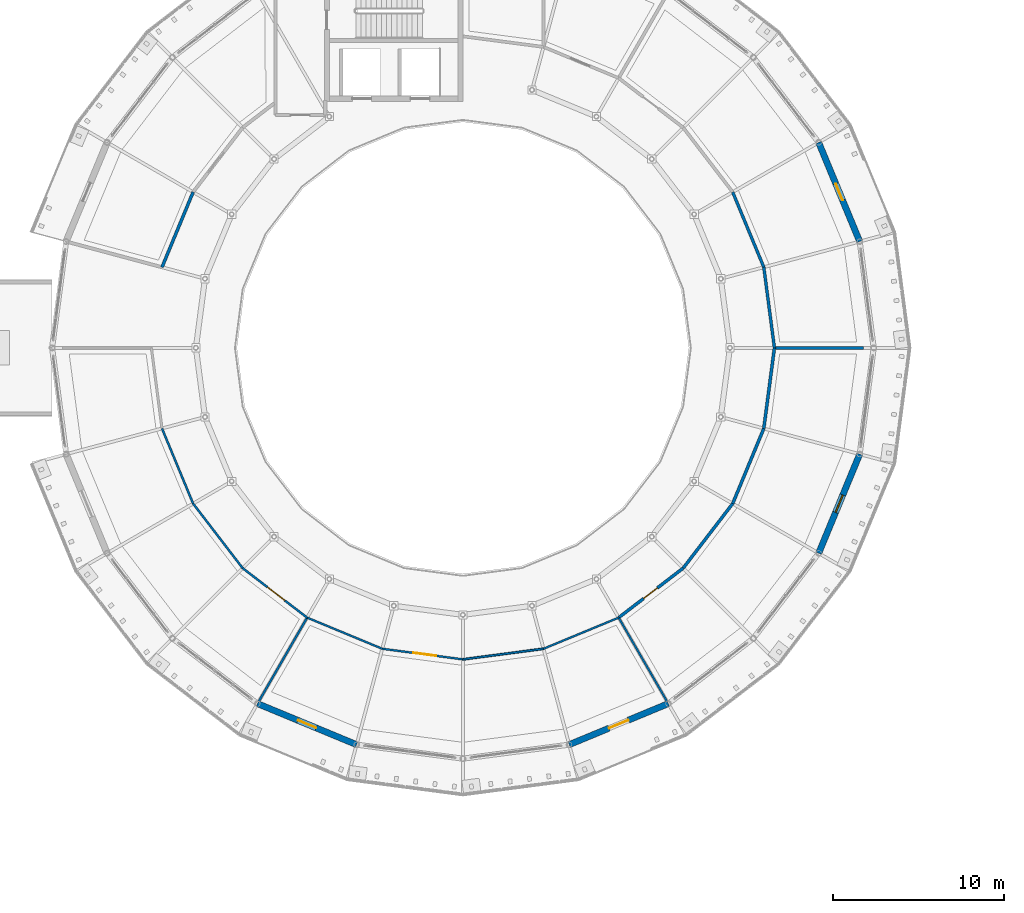
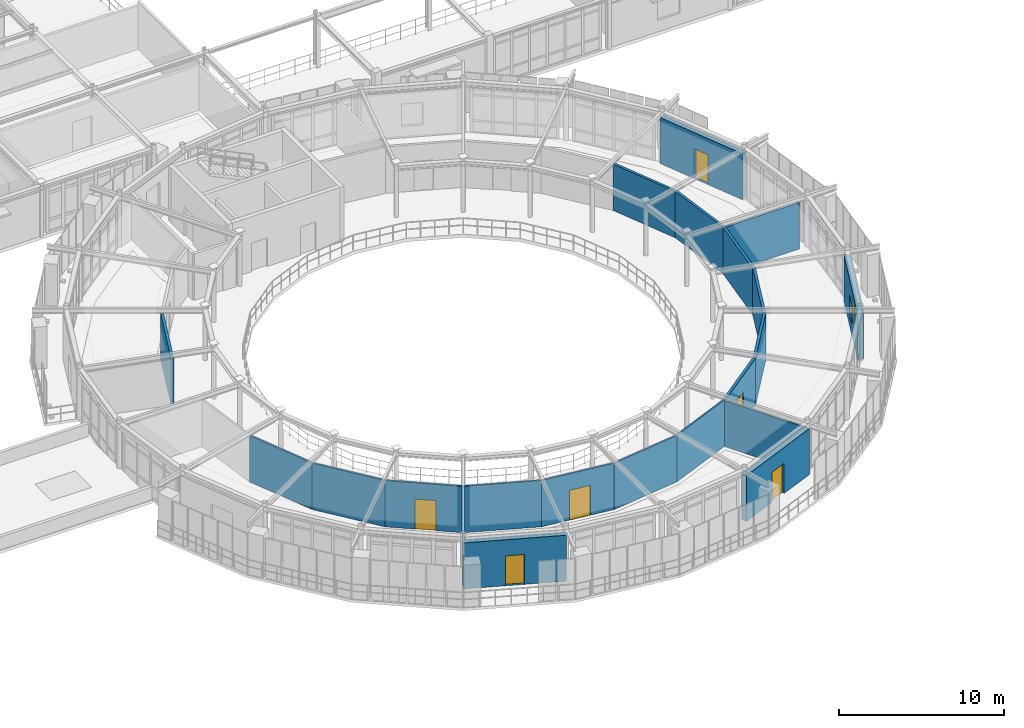
# One storey, part 55 of 70: 21 walls, 6 doors, 1 window, 7 openings.
"""IFC4 building model written with IfcOpenShell, lengths in metres."""

from ifc_helpers import new_model, si_unit, derived_unit, direction, frame, frame_2d, origin, place, context, subcontext, project, spatial, rectangle, extrude, material, layer, layer_set, type_object, element, fill, save


model = new_model("IFC4")

# Units and contexts
model_context = context("Model", 3, precision=1e-05, world=origin(), true_north=direction((0.0, 1.0)))
body_context = subcontext(model_context, "Body", "Model", "MODEL_VIEW")
ifc_project = project(units=[si_unit("LENGTHUNIT", "METRE"), si_unit("AREAUNIT", "SQUARE_METRE"), si_unit("VOLUMEUNIT", "CUBIC_METRE"), si_unit("PLANEANGLEUNIT", "RADIAN"), si_unit("MASSUNIT", "GRAM", prefix="KILO"), derived_unit("THERMALTRANSMITTANCEUNIT", [(si_unit("POWERUNIT", "WATT"), 1), (si_unit("AREAUNIT", "SQUARE_METRE"), -1), (si_unit("THERMODYNAMICTEMPERATUREUNIT", "KELVIN"), -1)])], contexts=[model_context])

# Site, building, storey
site_placement = place(None, origin())
site = spatial("IfcSite", under=ifc_project, at=site_placement, CompositionType="ELEMENT")
building_placement = place(site_placement, origin())
building = spatial("IfcBuilding", under=site, at=building_placement, Name="Yasenodar Specialist Clinic", CompositionType="ELEMENT")
storey_placement = place(building_placement, frame((0.0, 0.0, 13.199951171875)))
storey = spatial("IfcBuildingStorey", under=building, at=storey_placement, Name="L03", CompositionType="ELEMENT", Elevation=13.199951171875)

# Wall, opening, door
ifc_material_1 = material(Name="Drum Insulated Terracotta Chord Wall", Category="masonry")
ifc_layer_1 = layer(ifc_material_1, 0.364990234375)
ifc_layer_set_1 = layer_set([ifc_layer_1], Name="Drum Insulated Terracotta Chord Wall")
wall_type_1 = type_object("IfcWallType", Name="EW-DRUM-365", PredefinedType="SOLIDWALL", material=ifc_layer_set_1)
wall_1_placement = place(storey_placement, frame((101.78466796875, 70.800048828125, 0.0), z_axis=(0.0, 0.0, 1.0), x_axis=(0.382663829839, -0.9238876519, 0.0)))
wall_1 = element("IfcWall", 1, at=wall_1_placement, inside=storey, type_object=wall_type_1, Name="L03 Exterior Facade Wall 0024", PredefinedType="SOLIDWALL", context=body_context, shape_type="SweptSolid", body=[
    extrude(rectangle(XDim=6.26513671875, YDim=0.364990234375, at=frame_2d((3.132568359375, 0.0))), origin(), (0.0, 0.0, 1.0), 3.387939453125),
])
opening_1_placement = place(wall_1_placement, frame((2.607666015625, 0.0, 0.0)))
opening_1 = element("IfcOpeningElement", 2, at=opening_1_placement, cuts=wall_1, Name="Opening BD-01", PredefinedType="OPENING", context=body_context, shape_type="SweptSolid", body=[
    extrude(rectangle(XDim=1.050048828125, YDim=2.199951171875, at=frame_2d((0.52490234375, 1.10009765625))), frame((0.0, 0.1923828125, 0.0), z_axis=(0.0, -1.0, 0.0), x_axis=(1.0, 0.0, 0.0)), (0.0, 0.0, 1.0), 0.385009765625),
])
ifc_material_2 = material(Name="Thermally Broken Bronze Anodized Aluminium and Laminated Glass", Category="aluminium")
door_type_1 = type_object("IfcDoorType", Name="DR-BALC-105", OperationType="NOTDEFINED", PredefinedType="DOOR", material=ifc_material_2)
door_1_placement = place(opening_1_placement, origin())
door_1 = element("IfcDoor", 3, at=door_1_placement, inside=storey, type_object=door_type_1, Name="L03 Drum Balcony Access Door Sector 01", OperationType="SINGLE_SWING_LEFT", OverallHeight=2.199951171875, OverallWidth=1.050048828125, PredefinedType="DOOR", context=body_context, shape_type="SweptSolid", body=[
    extrude(rectangle(XDim=1.050048828125, YDim=2.199951171875, at=frame_2d((0.52490234375, 1.10009765625))), frame((0.0, 0.02490234375, 0.0), z_axis=(0.0, -1.0, 0.0), x_axis=(1.0, 0.0, 0.0)), (0.0, 0.0, 1.0), 0.050048828125),
])
fill(opening_1, door_1)

wall_2_placement = place(storey_placement, frame((74.788330078125, 35.617919921875, 0.0), z_axis=(0.0, 0.0, 1.0), x_axis=(-0.9238876519, 0.382663829839, 0.0)))
wall_2 = element("IfcWall", 4, at=wall_2_placement, inside=storey, type_object=wall_type_1, Name="L03 Exterior Facade Wall 0029", PredefinedType="SOLIDWALL", context=body_context, shape_type="SweptSolid", body=[
    extrude(rectangle(XDim=6.26513671875, YDim=0.364990234375, at=frame_2d((3.132568359375, 0.0))), origin(), (0.0, 0.0, 1.0), 3.387939453125),
])
opening_2_placement = place(wall_2_placement, frame((2.5576171875, 0.0, 0.0)))
opening_2 = element("IfcOpeningElement", 5, at=opening_2_placement, cuts=wall_2, Name="Opening BD-02", PredefinedType="OPENING", context=body_context, shape_type="SweptSolid", body=[
    extrude(rectangle(XDim=1.14990234375, YDim=2.199951171875, at=frame_2d((0.574951171875, 1.10009765625))), frame((0.0, 0.1923828125, 0.0), z_axis=(0.0, -1.0, 0.0), x_axis=(1.0, 0.0, 0.0)), (0.0, 0.0, 1.0), 0.385009765625),
])
door_type_2 = type_object("IfcDoorType", Name="DR-BALC-115", OperationType="NOTDEFINED", PredefinedType="DOOR", material=ifc_material_2)
door_2_placement = place(opening_2_placement, origin())
door_2 = element("IfcDoor", 6, at=door_2_placement, inside=storey, type_object=door_type_2, Name="L03 Drum Balcony Access Door Sector 16", OperationType="SINGLE_SWING_LEFT", OverallHeight=2.199951171875, OverallWidth=1.14990234375, PredefinedType="DOOR", context=body_context, shape_type="SweptSolid", body=[
    extrude(rectangle(XDim=1.14990234375, YDim=2.199951171875, at=frame_2d((0.574951171875, 1.10009765625))), frame((0.0, 0.02490234375, 0.0), z_axis=(0.0, -1.0, 0.0), x_axis=(1.0, 0.0, 0.0)), (0.0, 0.0, 1.0), 0.050048828125),
])
fill(opening_2, door_2)

wall_3_placement = place(storey_placement, frame((93.0, 38.015380859375, 0.0), z_axis=(0.0, 0.0, 1.0), x_axis=(-0.9238876519, -0.382663829839, 0.0)))
wall_3 = element("IfcWall", 7, at=wall_3_placement, inside=storey, type_object=wall_type_1, Name="L03 Exterior Facade Wall 0030", PredefinedType="SOLIDWALL", context=body_context, shape_type="SweptSolid", body=[
    extrude(rectangle(XDim=6.26513671875, YDim=0.364990234375, at=frame_2d((3.132568359375, 0.0))), origin(), (0.0, 0.0, 1.0), 3.387939453125),
])
opening_3_placement = place(wall_3_placement, frame((2.522705078125, 0.0, 0.0)))
opening_3 = element("IfcOpeningElement", 8, at=opening_3_placement, cuts=wall_3, Name="Opening BD-03", PredefinedType="OPENING", context=body_context, shape_type="SweptSolid", body=[
    extrude(rectangle(XDim=1.219970703125, YDim=2.219970703125, at=frame_2d((0.60986328125, 1.10986328125))), frame((0.0, 0.1923828125, 0.0), z_axis=(0.0, -1.0, 0.0), x_axis=(1.0, 0.0, 0.0)), (0.0, 0.0, 1.0), 0.385009765625),
])
door_type_3 = type_object("IfcDoorType", Name="DR-BALC-122", OperationType="NOTDEFINED", PredefinedType="DOOR", material=ifc_material_2)
door_3_placement = place(opening_3_placement, origin())
door_3 = element("IfcDoor", 9, at=door_3_placement, inside=storey, type_object=door_type_3, Name="L03 Drum Balcony Access Door Sector 19", OperationType="SINGLE_SWING_RIGHT", OverallHeight=2.219970703125, OverallWidth=1.219970703125, PredefinedType="DOOR", context=body_context, shape_type="SweptSolid", body=[
    extrude(rectangle(XDim=1.219970703125, YDim=2.219970703125, at=frame_2d((0.60986328125, 1.10986328125))), frame((0.0, 0.02490234375, 0.0), z_axis=(0.0, -1.0, 0.0), x_axis=(1.0, 0.0, 0.0)), (0.0, 0.0, 1.0), 0.050048828125),
])
fill(opening_3, door_3)

# Wall, opening, window
wall_4_placement = place(storey_placement, frame((104.18212890625, 52.58837890625, 0.0), z_axis=(0.0, 0.0, 1.0), x_axis=(-0.382663829839, -0.9238876519, 0.0)))
wall_4 = element("IfcWall", 10, at=wall_4_placement, inside=storey, type_object=wall_type_1, Name="L03 Exterior Facade Wall 0031", PredefinedType="SOLIDWALL", context=body_context, shape_type="SweptSolid", body=[
    extrude(rectangle(XDim=6.26513671875, YDim=0.364990234375, at=frame_2d((3.132568359375, 0.0))), origin(), (0.0, 0.0, 1.0), 3.387939453125),
])
opening_4_placement = place(wall_4_placement, frame((2.58251953125, 0.0, 0.85009765625)))
opening_4 = element("IfcOpeningElement", 11, at=opening_4_placement, cuts=wall_4, Name="Opening W-19", PredefinedType="OPENING", context=body_context, shape_type="SweptSolid", body=[
    extrude(rectangle(XDim=1.10009765625, YDim=1.39990234375, at=frame_2d((0.550048828125, 0.699951171875))), frame((0.0, 0.1923828125, 0.0), z_axis=(0.0, -1.0, 0.0), x_axis=(1.0, 0.0, 0.0)), (0.0, 0.0, 1.0), 0.385009765625),
])
ifc_material_3 = material(Name="Triple Low-E Argon Glazing in Bronze Aluminium Frame", Category="aluminium")
window_type = type_object("IfcWindowType", Name="WIN-EXT-19", PartitioningType="SINGLE_PANEL", PredefinedType="WINDOW", material=ifc_material_3)
window_placement = place(opening_4_placement, origin())
window = element("IfcWindow", 12, at=window_placement, inside=storey, type_object=window_type, Name="L03 Triple-Glazed Reveal Window 0017", OverallHeight=1.39990234375, OverallWidth=1.10009765625, PartitioningType="SINGLE_PANEL", PredefinedType="WINDOW", context=body_context, shape_type="SweptSolid", body=[
    extrude(rectangle(XDim=1.10009765625, YDim=1.39990234375, at=frame_2d((0.550048828125, 0.699951171875))), frame((0.0, 0.030029296875, 0.0), z_axis=(0.0, -1.0, 0.0), x_axis=(1.0, 0.0, 0.0)), (0.0, 0.0, 1.0), 0.06005859375),
])
fill(opening_4, window)

# Walls
ifc_material_4 = material(Name="Cleanroom Laboratory Partition")
ifc_layer_2 = layer(ifc_material_4, 0.169921875)
ifc_layer_set_2 = layer_set([ifc_layer_2], Name="Cleanroom Laboratory Partition")
wall_type_2 = type_object("IfcWallType", Name="IW-LAB-170", PredefinedType="PARTITIONING", material=ifc_layer_set_2)
for number, where, z_axis, x_axis, name in (
    (13, (99.199951171875, 58.800048828125, 0.0), (0.0, 0.0, 1.0), (-0.130520975042, 0.991445548214, 0.0), "L03 Ophthalmic Laser Treatment Suite Partition"),
    (14, (98.579833984375, 63.510498046875, 0.0), (0.0, 0.0, 1.0), (-0.382677044484, 0.923882178432, 0.0), "L03 Ophthalmic Laser Treatment Suite Partition"),
):
    element("IfcWall", number, at=place(storey_placement, frame(where, z_axis=z_axis, x_axis=x_axis)), inside=storey, type_object=wall_type_2, Name=name, PredefinedType="PARTITIONING", context=body_context, shape_type="SweptSolid", body=[
        extrude(rectangle(XDim=4.7509765625, YDim=0.169921875, at=frame_2d((2.37548828125, 0.0))), origin(), (0.0, 0.0, 1.0), 3.41796875),
    ])
wall_5_placement = place(storey_placement, frame((104.39990234375, 58.800048828125, 0.0), z_axis=(0.0, 0.0, 1.0), x_axis=(-1.0, 0.0, 0.0)))
element("IfcWall", 15, at=wall_5_placement, inside=storey, type_object=wall_type_2, Name="L03 Ophthalmic Laser Treatment Suite Partition", PredefinedType="PARTITIONING", context=body_context, shape_type="SweptSolid", body=[
    extrude(rectangle(XDim=5.199951171875, YDim=0.169921875, at=frame_2d((2.60009765625, 0.0))), origin(), (0.0, 0.0, 1.0), 3.41796875),
])

# Wall, opening, door
ifc_material_5 = material(Name="Lightweight Counseling Partition")
ifc_layer_3 = layer(ifc_material_5, 0.114990234375)
ifc_layer_set_3 = layer_set([ifc_layer_3], Name="Lightweight Counseling Partition")
wall_type_3 = type_object("IfcWallType", Name="IW-PART-115", PredefinedType="PARTITIONING", material=ifc_layer_set_3)
wall_6_placement = place(storey_placement, frame((76.28955078125, 41.22021484375, 0.0), z_axis=(0.0, 0.0, 1.0), x_axis=(0.991445548214, -0.130520975042, 0.0)))
wall_6 = element("IfcWall", 16, at=wall_6_placement, inside=storey, type_object=wall_type_3, Name="L03 Echocardiography Stress-Test Room Partition", PredefinedType="PARTITIONING", context=body_context, shape_type="SweptSolid", body=[
    extrude(rectangle(XDim=4.7509765625, YDim=0.114990234375, at=frame_2d((2.37548828125, 0.0))), origin(), (0.0, 0.0, 1.0), 3.41796875),
])
opening_5_placement = place(wall_6_placement, frame((1.82568359375, 0.0, 0.0)))
opening_5 = element("IfcOpeningElement", 17, at=opening_5_placement, cuts=wall_6, Name="Opening D-11", PredefinedType="OPENING", context=body_context, shape_type="SweptSolid", body=[
    extrude(rectangle(XDim=1.360107421875, YDim=2.199951171875, at=frame_2d((0.68017578125, 1.10009765625))), frame((0.0, 0.0673828125, 0.0), z_axis=(0.0, -1.0, 0.0), x_axis=(1.0, 0.0, 0.0)), (0.0, 0.0, 1.0), 0.135009765625),
])
ifc_material_6 = material(Name="Powder-Coated Steel and Acoustic Laminate Leaf", Category="steel")
door_type_4 = type_object("IfcDoorType", Name="DR-PLT-136", OperationType="NOTDEFINED", PredefinedType="DOOR", material=ifc_material_6)
door_4_placement = place(opening_5_placement, origin())
door_4 = element("IfcDoor", 18, at=door_4_placement, inside=storey, type_object=door_type_4, Name="L03 Echocardiography Stress-Test Room Door", OperationType="SINGLE_SWING_LEFT", OverallHeight=2.199951171875, OverallWidth=1.360107421875, PredefinedType="DOOR", context=body_context, shape_type="SweptSolid", body=[
    extrude(rectangle(XDim=1.360107421875, YDim=2.199951171875, at=frame_2d((0.68017578125, 1.10009765625))), frame((0.0, 0.02490234375, 0.0), z_axis=(0.0, -1.0, 0.0), x_axis=(1.0, 0.0, 0.0)), (0.0, 0.0, 1.0), 0.050048828125),
])
fill(opening_5, door_4)

# Walls
wall_7_placement = place(storey_placement, frame((81.0, 40.60009765625, 0.0), z_axis=(0.0, 0.0, 1.0), x_axis=(0.991445548214, 0.130520975042, 0.0)))
element("IfcWall", 19, at=wall_7_placement, inside=storey, type_object=wall_type_3, Name="L03 Echocardiography Stress-Test Room Partition", PredefinedType="PARTITIONING", context=body_context, shape_type="SweptSolid", body=[
    extrude(rectangle(XDim=4.7509765625, YDim=0.114990234375, at=frame_2d((2.37548828125, 0.0))), origin(), (0.0, 0.0, 1.0), 3.41796875),
])
wall_8_placement = place(storey_placement, frame((85.71044921875, 41.22021484375, 0.0), z_axis=(0.0, 0.0, 1.0), x_axis=(0.923889703059, 0.382658877568, 0.0)))
element("IfcWall", 20, at=wall_8_placement, inside=storey, type_object=wall_type_3, Name="L03 Echocardiography Stress-Test Room Partition", PredefinedType="PARTITIONING", context=body_context, shape_type="SweptSolid", body=[
    extrude(rectangle(XDim=4.751220703125, YDim=0.114990234375, at=frame_2d((2.37548828125, 0.0))), origin(), (0.0, 0.0, 1.0), 3.41796875),
])
wall_9_placement = place(storey_placement, frame((71.918701171875, 43.030517578125, 0.0), z_axis=(0.0, 0.0, 1.0), x_axis=(0.923891672578, -0.382654122335, 0.0)))
element("IfcWall", 21, at=wall_9_placement, inside=storey, type_object=wall_type_3, Name="L03 Echocardiography Stress-Test Room Partition", PredefinedType="PARTITIONING", context=body_context, shape_type="SweptSolid", body=[
    extrude(rectangle(XDim=4.73095703125, YDim=0.114990234375, at=frame_2d((2.365478515625, 0.0))), origin(), (0.0, 0.0, 1.0), 3.41796875),
])
wall_10_placement = place(storey_placement, frame((90.10009765625, 43.038330078125, 0.0), z_axis=(0.0, 0.0, 1.0), x_axis=(0.499987440211, -0.86603265506, 0.0)))
element("IfcWall", 22, at=wall_10_placement, inside=storey, type_object=wall_type_3, Name="L03 Echocardiography Stress-Test Room Partition", PredefinedType="PARTITIONING", context=body_context, shape_type="SweptSolid", body=[
    extrude(rectangle(XDim=5.635986328125, YDim=0.114990234375, at=frame_2d((2.81787109375, 0.0))), origin(), (0.0, 0.0, 1.0), 3.387939453125),
])

# Wall, opening, door
ifc_material_7 = material(Name="Clinical Sub-Division Partition")
ifc_layer_4 = layer(ifc_material_7, 0.125)
ifc_layer_set_4 = layer_set([ifc_layer_4], Name="Clinical Sub-Division Partition")
wall_type_4 = type_object("IfcWallType", Name="IW-PART-125", PredefinedType="PARTITIONING", material=ifc_layer_set_4)
wall_11_placement = place(storey_placement, frame((68.130615234375, 45.9306640625, 0.0), z_axis=(0.0, 0.0, 1.0), x_axis=(0.793347417989, -0.608769147025, 0.0)))
wall_11 = element("IfcWall", 23, at=wall_11_placement, inside=storey, type_object=wall_type_4, Name="L03 Cardiac Arrhythmia Day-Monitoring Suite Partition", PredefinedType="PARTITIONING", context=body_context, shape_type="SweptSolid", body=[
    extrude(rectangle(XDim=4.751220703125, YDim=0.125, at=frame_2d((2.37548828125, 0.0))), origin(), (0.0, 0.0, 1.0), 3.41796875),
])
opening_6_placement = place(wall_11_placement, frame((1.82568359375, 0.0, 0.0)))
opening_6 = element("IfcOpeningElement", 24, at=opening_6_placement, cuts=wall_11, Name="Opening D-08", PredefinedType="OPENING", context=body_context, shape_type="SweptSolid", body=[
    extrude(rectangle(XDim=1.280029296875, YDim=2.219970703125, at=frame_2d((0.64013671875, 1.10986328125))), frame((0.0, 0.072509765625, 0.0), z_axis=(0.0, -1.0, 0.0), x_axis=(1.0, 0.0, 0.0)), (0.0, 0.0, 1.0), 0.14501953125),
])
door_type_5 = type_object("IfcDoorType", Name="DR-CLN-128", OperationType="NOTDEFINED", PredefinedType="DOOR", material=ifc_material_6)
door_5_placement = place(opening_6_placement, origin())
door_5 = element("IfcDoor", 25, at=door_5_placement, inside=storey, type_object=door_type_5, Name="L03 Cardiac Arrhythmia Day-Monitoring Suite Door", OperationType="SINGLE_SWING_RIGHT", OverallHeight=2.219970703125, OverallWidth=1.280029296875, PredefinedType="DOOR", context=body_context, shape_type="SweptSolid", body=[
    extrude(rectangle(XDim=1.280029296875, YDim=2.219970703125, at=frame_2d((0.64013671875, 1.10986328125))), frame((0.0, 0.02490234375, 0.0), z_axis=(0.0, -1.0, 0.0), x_axis=(1.0, 0.0, 0.0)), (0.0, 0.0, 1.0), 0.050048828125),
])
fill(opening_6, door_5)

# Walls
for number, where, z_axis, x_axis, name in (
    (26, (65.23828125, 49.699951171875, 0.0), (0.0, 0.0, 1.0), (0.608769147025, -0.793347417989, 0.0), "L03 Cardiac Arrhythmia Day-Monitoring Suite Partition"),
    (27, (63.420166015625, 54.089599609375, 0.0), (0.0, 0.0, 1.0), (0.382658877568, -0.923889703059, 0.0), "L03 Cardiac Arrhythmia Day-Monitoring Suite Partition"),
):
    element("IfcWall", number, at=place(storey_placement, frame(where, z_axis=z_axis, x_axis=x_axis)), inside=storey, type_object=wall_type_4, Name=name, PredefinedType="PARTITIONING", context=body_context, shape_type="SweptSolid", body=[
        extrude(rectangle(XDim=4.751220703125, YDim=0.125, at=frame_2d((2.37548828125, 0.0))), origin(), (0.0, 0.0, 1.0), 3.41796875),
    ])
wall_12_placement = place(storey_placement, frame((71.89990234375, 43.038330078125, 0.0), z_axis=(0.0, 0.0, 1.0), x_axis=(-0.499987440211, -0.86603265506, 0.0)))
element("IfcWall", 28, at=wall_12_placement, inside=storey, type_object=wall_type_4, Name="L03 Cardiac Arrhythmia Day-Monitoring Suite Partition", PredefinedType="PARTITIONING", context=body_context, shape_type="SweptSolid", body=[
    extrude(rectangle(XDim=5.635986328125, YDim=0.125, at=frame_2d((2.81787109375, 0.0))), origin(), (0.0, 0.0, 1.0), 3.387939453125),
])
ifc_material_8 = material(Name="Hygienic Double-Stud Clinical Partition")
ifc_layer_5 = layer(ifc_material_8, 0.179931640625)
ifc_layer_set_5 = layer_set([ifc_layer_5], Name="Hygienic Double-Stud Clinical Partition")
wall_type_5 = type_object("IfcWallType", Name="IW-PROC-180", PredefinedType="PARTITIONING", material=ifc_layer_set_5)
wall_13_placement = place(storey_placement, frame((65.23828125, 67.89990234375, 0.0), z_axis=(0.0, 0.0, 1.0), x_axis=(-0.382677044484, -0.923882178432, 0.0)))
element("IfcWall", 29, at=wall_13_placement, inside=storey, type_object=wall_type_5, Name="L03 Ambulatory Cataract Recovery Suite Partition", PredefinedType="PARTITIONING", context=body_context, shape_type="SweptSolid", body=[
    extrude(rectangle(XDim=4.7509765625, YDim=0.179931640625, at=frame_2d((2.37548828125, 0.0))), origin(), (0.0, 0.0, 1.0), 3.41796875),
])

# Wall, opening, door
wall_14_placement = place(storey_placement, frame((90.115966796875, 43.050537109375, 0.0), z_axis=(0.0, 0.0, 1.0), x_axis=(0.793350477013, 0.608765160487, 0.0)))
wall_14 = element("IfcWall", 30, at=wall_14_placement, inside=storey, type_object=wall_type_5, Name="L03 Vascular Ultrasound Treatment Suite Partition", PredefinedType="PARTITIONING", context=body_context, shape_type="SweptSolid", body=[
    extrude(rectangle(XDim=4.731201171875, YDim=0.179931640625, at=frame_2d((2.36572265625, 0.0))), origin(), (0.0, 0.0, 1.0), 3.41796875),
])
opening_7_placement = place(wall_14_placement, frame((1.8154296875, 0.0, 0.0)))
opening_7 = element("IfcOpeningElement", 31, at=opening_7_placement, cuts=wall_14, Name="Opening D-03", PredefinedType="OPENING", context=body_context, shape_type="SweptSolid", body=[
    extrude(rectangle(XDim=1.02001953125, YDim=2.14990234375, at=frame_2d((0.510009765625, 1.074951171875))), frame((0.0, 0.10009765625, 0.0), z_axis=(0.0, -1.0, 0.0), x_axis=(1.0, 0.0, 0.0)), (0.0, 0.0, 1.0), 0.199951171875),
])
door_type_6 = type_object("IfcDoorType", Name="DR-CLN-102", OperationType="NOTDEFINED", PredefinedType="DOOR", material=ifc_material_6)
door_6_placement = place(opening_7_placement, origin())
door_6 = element("IfcDoor", 32, at=door_6_placement, inside=storey, type_object=door_type_6, Name="L03 Vascular Ultrasound Treatment Suite Door", OperationType="SINGLE_SWING_RIGHT", OverallHeight=2.14990234375, OverallWidth=1.02001953125, PredefinedType="DOOR", context=body_context, shape_type="SweptSolid", body=[
    extrude(rectangle(XDim=1.02001953125, YDim=2.14990234375, at=frame_2d((0.510009765625, 1.074951171875))), frame((0.0, 0.02490234375, 0.0), z_axis=(0.0, -1.0, 0.0), x_axis=(1.0, 0.0, 0.0)), (0.0, 0.0, 1.0), 0.050048828125),
])
fill(opening_7, door_6)

# Walls
for number, where, z_axis, x_axis, name in (
    (33, (93.869384765625, 45.9306640625, 0.0), (0.0, 0.0, 1.0), (0.608769147025, 0.793347417989, 0.0), "L03 Vascular Ultrasound Treatment Suite Partition"),
    (34, (96.76171875, 49.699951171875, 0.0), (0.0, 0.0, 1.0), (0.382658877568, 0.923889703059, 0.0), "L03 Vascular Ultrasound Treatment Suite Partition"),
):
    element("IfcWall", number, at=place(storey_placement, frame(where, z_axis=z_axis, x_axis=x_axis)), inside=storey, type_object=wall_type_5, Name=name, PredefinedType="PARTITIONING", context=body_context, shape_type="SweptSolid", body=[
        extrude(rectangle(XDim=4.751220703125, YDim=0.179931640625, at=frame_2d((2.37548828125, 0.0))), origin(), (0.0, 0.0, 1.0), 3.41796875),
    ])
wall_15_placement = place(storey_placement, frame((98.579833984375, 54.089599609375, 0.0), z_axis=(0.0, 0.0, 1.0), x_axis=(0.130561305543, 0.991440237985, 0.0)))
element("IfcWall", 35, at=wall_15_placement, inside=storey, type_object=wall_type_5, Name="L03 Vascular Ultrasound Treatment Suite Partition", PredefinedType="PARTITIONING", context=body_context, shape_type="SweptSolid", body=[
    extrude(rectangle(XDim=4.73095703125, YDim=0.179931640625, at=frame_2d((2.365478515625, 0.0))), origin(), (0.0, 0.0, 1.0), 3.41796875),
])

save(model, "model.ifc")
